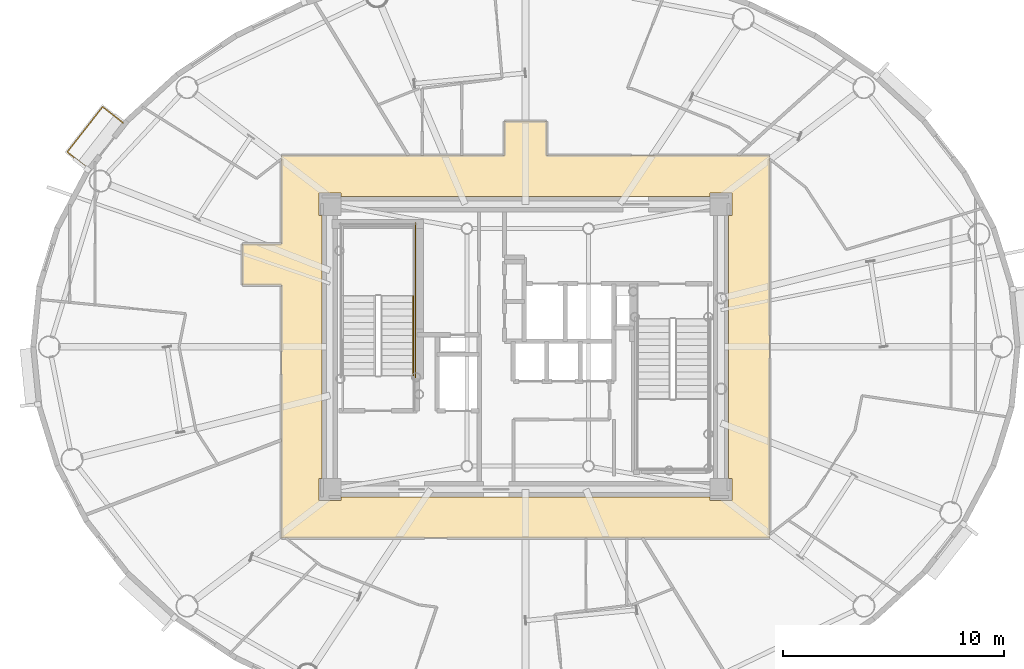
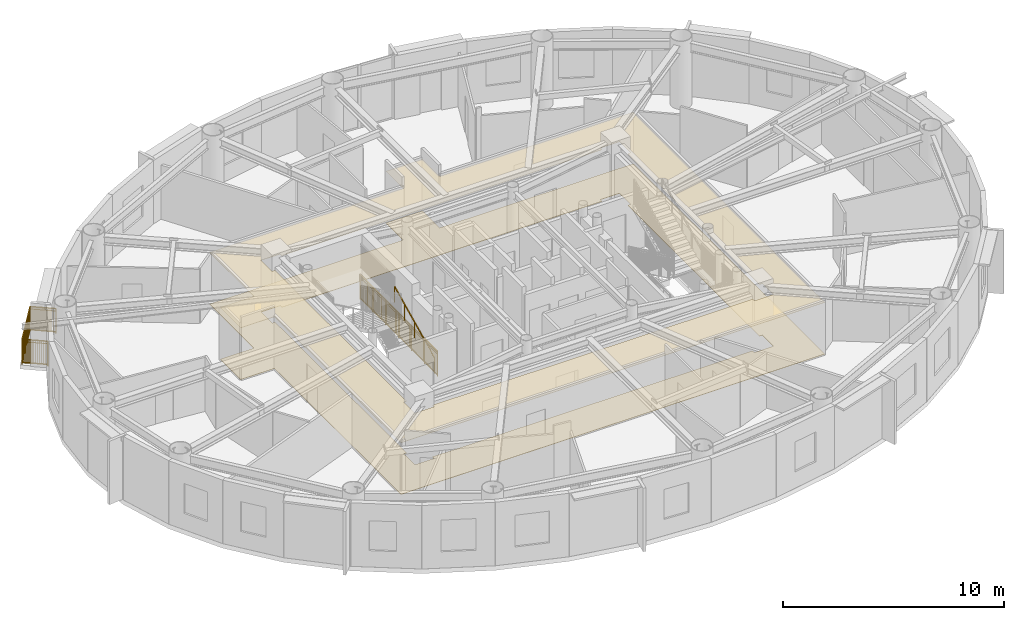
# One storey, part 16 of 18: 3 railings, 2 coverings.
"""IFC4 building model written with IfcOpenShell, lengths in metres."""

from ifc_helpers import new_model, si_unit, direction, frame, origin, origin_2d, place, context, subcontext, project, spatial, polyline, rectangle, outline, extrude, source, transform, mapped, material, layer, layer_set, type_object, element, save


model = new_model("IFC4")

# Units and contexts
model_context = context("Model", 3, precision=1e-05, world=origin(), true_north=direction((0.0, 1.0)))
body_context = subcontext(model_context, "Body", "Model", "MODEL_VIEW")
ifc_project = project(units=[si_unit("LENGTHUNIT", "METRE"), si_unit("AREAUNIT", "SQUARE_METRE"), si_unit("VOLUMEUNIT", "CUBIC_METRE"), si_unit("PLANEANGLEUNIT", "RADIAN"), si_unit("MASSUNIT", "GRAM", prefix="KILO")], contexts=[model_context])

# Site, building, storey
site_placement = place(None, origin())
site = spatial("IfcSite", under=ifc_project, at=site_placement, CompositionType="ELEMENT")
building_placement = place(site_placement, origin())
building = spatial("IfcBuilding", under=site, at=building_placement, Name="Linh Dai School and Residence Tower", CompositionType="ELEMENT")
storey_placement = place(building_placement, frame((0.0, 0.0, 291.75)))
storey = spatial("IfcBuildingStorey", under=building, at=storey_placement, Name="L72", CompositionType="ELEMENT", Elevation=291.75)

# Coverings
ifc_material_1 = material(Name="Mineral Fibre Acoustic Suspended Ceiling", Category="masonry")
ifc_layer_1 = layer(ifc_material_1, 0.02001953125)
ifc_layer_set_1 = layer_set([ifc_layer_1], Name="Mineral Fibre Acoustic Suspended Ceiling")
covering_type_1 = type_object("IfcCoveringType", Name="COV-CEIL-AC-20", PredefinedType="CEILING", material=ifc_layer_set_1)
covering_1_placement = place(storey_placement, frame((0.0, 0.0, 2.85009765625)))
element("IfcCovering", 1, at=covering_1_placement, inside=storey, type_object=covering_type_1, Name="L72 Residential Floor Corridor Suspended Ceiling", PredefinedType="CEILING", context=body_context, shape_type="SweptSolid", body=[
    extrude(outline(polyline([(23.199951171875, 31.64990234375), (24.949951171875, 31.64990234375), (24.949951171875, 35.64990234375), (35.050048828125, 35.64990234375), (35.050048828125, 37.199951171875), (36.949951171875, 37.199951171875), (36.949951171875, 35.64990234375), (47.050048828125, 35.64990234375), (47.050048828125, 18.35009765625), (24.949951171875, 18.35009765625), (24.949951171875, 29.800048828125), (23.199951171875, 29.800048828125), (23.199951171875, 31.64990234375)]), holes=[polyline([(27.64990234375, 33.800048828125), (27.64990234375, 33.949951171875), (26.64990234375, 33.949951171875), (26.64990234375, 32.949951171875), (26.800048828125, 32.949951171875), (26.800048828125, 21.050048828125), (26.64990234375, 21.050048828125), (26.64990234375, 20.050048828125), (27.64990234375, 20.050048828125), (27.64990234375, 20.199951171875), (44.35009765625, 20.199951171875), (44.35009765625, 20.050048828125), (45.35009765625, 20.050048828125), (45.35009765625, 21.050048828125), (45.199951171875, 21.050048828125), (45.199951171875, 32.949951171875), (45.35009765625, 32.949951171875), (45.35009765625, 33.949951171875), (44.35009765625, 33.949951171875), (44.35009765625, 33.800048828125), (27.64990234375, 33.800048828125)])]), origin(), (0.0, 0.0, 1.0), 0.02001953125),
])
ifc_material_2 = material(Name="Polished Terrazzo Floor Finish", Category="masonry")
ifc_layer_2 = layer(ifc_material_2, 0.02490234375)
ifc_layer_set_2 = layer_set([ifc_layer_2], Name="Polished Terrazzo Floor Finish")
covering_type_2 = type_object("IfcCoveringType", Name="COV-FLR-TRZ-25", PredefinedType="FLOORING", material=ifc_layer_set_2)
covering_2_placement = place(storey_placement, origin())
element("IfcCovering", 2, at=covering_2_placement, inside=storey, type_object=covering_type_2, Name="L72 Residential Floor Corridor Floor Finish", PredefinedType="FLOORING", context=body_context, shape_type="SweptSolid", body=[
    extrude(outline(polyline([(23.199951171875, 31.64990234375), (24.949951171875, 31.64990234375), (24.949951171875, 35.64990234375), (35.050048828125, 35.64990234375), (35.050048828125, 37.199951171875), (36.949951171875, 37.199951171875), (36.949951171875, 35.64990234375), (47.050048828125, 35.64990234375), (47.050048828125, 18.35009765625), (24.949951171875, 18.35009765625), (24.949951171875, 29.800048828125), (23.199951171875, 29.800048828125), (23.199951171875, 31.64990234375)]), holes=[polyline([(27.64990234375, 33.800048828125), (27.64990234375, 33.949951171875), (26.64990234375, 33.949951171875), (26.64990234375, 32.949951171875), (26.800048828125, 32.949951171875), (26.800048828125, 21.050048828125), (26.64990234375, 21.050048828125), (26.64990234375, 20.050048828125), (27.64990234375, 20.050048828125), (27.64990234375, 20.199951171875), (44.35009765625, 20.199951171875), (44.35009765625, 20.050048828125), (45.35009765625, 20.050048828125), (45.35009765625, 21.050048828125), (45.199951171875, 21.050048828125), (45.199951171875, 32.949951171875), (45.35009765625, 32.949951171875), (45.35009765625, 33.949951171875), (44.35009765625, 33.949951171875), (44.35009765625, 33.800048828125), (27.64990234375, 33.800048828125)])]), origin(), (0.0, 0.0, 1.0), 0.02001953125),
])

# Railings
ifc_material_3 = material(Name="Structural Steel S355JR", Category="steel")
railing_type_1 = type_object("IfcRailingType", Name="RL-BAL-1400", PredefinedType="BALUSTRADE", material=ifc_material_3)
shared_shape_1 = source(origin(), body_context, "Body", "SweptSolid", [
    extrude(rectangle(XDim=0.048095703125, YDim=0.048095703125, at=origin_2d()), frame((0.0, 0.0, 1.3759765625), z_axis=(-0.787465705171, 0.616358469707, 0.0), x_axis=(-0.616358469707, -0.787465705171, 0.0)), (0.0, 0.0, 1.0), 1.179931640625),
    extrude(rectangle(XDim=0.048095703125, YDim=0.048095703125, at=origin_2d()), frame((0.0, 0.0, 0.10009765625), z_axis=(-0.787465705171, 0.616358469707, 0.0), x_axis=(-0.616358469707, -0.787465705171, 0.0)), (0.0, 0.0, 1.0), 1.179931640625),
    extrude(rectangle(XDim=0.030029296875, YDim=0.030029296875, at=origin_2d()), frame((0.0, 0.0, 1.239990234375), z_axis=(-0.787465705171, 0.616358469707, 0.0), x_axis=(-0.616358469707, -0.787465705171, 0.0)), (0.0, 0.0, 1.0), 1.179931640625),
    extrude(rectangle(XDim=0.02001953125, YDim=0.02001953125, at=origin_2d()), frame((-0.071533203125, 0.055908203125, 0.10009765625)), (0.0, 0.0, 1.0), 1.251708984375),
    extrude(rectangle(XDim=0.02001953125, YDim=0.02001953125, at=origin_2d()), frame((-0.14306640625, 0.11181640625, 0.10009765625)), (0.0, 0.0, 1.0), 1.251708984375),
    extrude(rectangle(XDim=0.02001953125, YDim=0.02001953125, at=origin_2d()), frame((-0.21435546875, 0.167724609375, 0.10009765625)), (0.0, 0.0, 1.0), 1.251708984375),
    extrude(rectangle(XDim=0.02001953125, YDim=0.02001953125, at=origin_2d()), frame((-0.285888671875, 0.223876953125, 0.10009765625)), (0.0, 0.0, 1.0), 1.251708984375),
    extrude(rectangle(XDim=0.02001953125, YDim=0.02001953125, at=origin_2d()), frame((-0.357421875, 0.27978515625, 0.10009765625)), (0.0, 0.0, 1.0), 1.251708984375),
    extrude(rectangle(XDim=0.02001953125, YDim=0.02001953125, at=origin_2d()), frame((-0.428955078125, 0.335693359375, 0.10009765625)), (0.0, 0.0, 1.0), 1.251708984375),
    extrude(rectangle(XDim=0.02001953125, YDim=0.02001953125, at=origin_2d()), frame((-0.500244140625, 0.3916015625, 0.10009765625)), (0.0, 0.0, 1.0), 1.251708984375),
    extrude(rectangle(XDim=0.02001953125, YDim=0.02001953125, at=origin_2d()), frame((-0.57177734375, 0.447509765625, 0.10009765625)), (0.0, 0.0, 1.0), 1.251708984375),
    extrude(rectangle(XDim=0.02001953125, YDim=0.02001953125, at=origin_2d()), frame((-0.643310546875, 0.50341796875, 0.10009765625)), (0.0, 0.0, 1.0), 1.251708984375),
    extrude(rectangle(XDim=0.02001953125, YDim=0.02001953125, at=origin_2d()), frame((-0.71484375, 0.5595703125, 0.10009765625)), (0.0, 0.0, 1.0), 1.251708984375),
    extrude(rectangle(XDim=0.02001953125, YDim=0.02001953125, at=origin_2d()), frame((-0.7861328125, 0.615478515625, 0.10009765625)), (0.0, 0.0, 1.0), 1.251708984375),
    extrude(rectangle(XDim=0.02001953125, YDim=0.02001953125, at=origin_2d()), frame((-0.857666015625, 0.67138671875, 0.10009765625)), (0.0, 0.0, 1.0), 1.251708984375),
    extrude(rectangle(XDim=0.048095703125, YDim=0.048095703125, at=origin_2d()), frame((-0.92919921875, 0.727294921875, 1.3759765625), z_axis=(0.616318394655, 0.787497070731, 0.0), x_axis=(-0.787497070731, 0.616318394655, 0.0)), (0.0, 0.0, 1.0), 2.5986328125),
    extrude(rectangle(XDim=0.048095703125, YDim=0.048095703125, at=origin_2d()), frame((-0.92919921875, 0.727294921875, 0.10009765625), z_axis=(0.616318394655, 0.787497070731, 0.0), x_axis=(-0.787497070731, 0.616318394655, 0.0)), (0.0, 0.0, 1.0), 2.5986328125),
    extrude(rectangle(XDim=0.030029296875, YDim=0.030029296875, at=origin_2d()), frame((-0.92919921875, 0.727294921875, 1.239990234375), z_axis=(0.616318394655, 0.787497070731, 0.0), x_axis=(-0.787497070731, 0.616318394655, 0.0)), (0.0, 0.0, 1.0), 2.5986328125),
    extrude(rectangle(XDim=0.02001953125, YDim=0.02001953125, at=origin_2d()), frame((-0.869873046875, 0.802978515625, 0.10009765625)), (0.0, 0.0, 1.0), 1.251708984375),
    extrude(rectangle(XDim=0.02001953125, YDim=0.02001953125, at=origin_2d()), frame((-0.810546875, 0.87890625, 0.10009765625)), (0.0, 0.0, 1.0), 1.251708984375),
    extrude(rectangle(XDim=0.02001953125, YDim=0.02001953125, at=origin_2d()), frame((-0.751220703125, 0.95458984375, 0.10009765625)), (0.0, 0.0, 1.0), 1.251708984375),
    extrude(rectangle(XDim=0.02001953125, YDim=0.02001953125, at=origin_2d()), frame((-0.69189453125, 1.030517578125, 0.10009765625)), (0.0, 0.0, 1.0), 1.251708984375),
    extrude(rectangle(XDim=0.02001953125, YDim=0.02001953125, at=origin_2d()), frame((-0.632568359375, 1.106201171875, 0.10009765625)), (0.0, 0.0, 1.0), 1.251708984375),
    extrude(rectangle(XDim=0.02001953125, YDim=0.02001953125, at=origin_2d()), frame((-0.5732421875, 1.18212890625, 0.10009765625)), (0.0, 0.0, 1.0), 1.251708984375),
    extrude(rectangle(XDim=0.02001953125, YDim=0.02001953125, at=origin_2d()), frame((-0.513916015625, 1.2578125, 0.10009765625)), (0.0, 0.0, 1.0), 1.251708984375),
    extrude(rectangle(XDim=0.02001953125, YDim=0.02001953125, at=origin_2d()), frame((-0.45458984375, 1.333740234375, 0.10009765625)), (0.0, 0.0, 1.0), 1.251708984375),
    extrude(rectangle(XDim=0.02001953125, YDim=0.02001953125, at=origin_2d()), frame((-0.3359375, 1.485107421875, 0.10009765625)), (0.0, 0.0, 1.0), 1.251708984375),
    extrude(rectangle(XDim=0.02001953125, YDim=0.02001953125, at=origin_2d()), frame((-0.276611328125, 1.56103515625, 0.10009765625)), (0.0, 0.0, 1.0), 1.251708984375),
    extrude(rectangle(XDim=0.02001953125, YDim=0.02001953125, at=origin_2d()), frame((-0.21728515625, 1.63671875, 0.10009765625)), (0.0, 0.0, 1.0), 1.251708984375),
    extrude(rectangle(XDim=0.02001953125, YDim=0.02001953125, at=origin_2d()), frame((-0.157958984375, 1.712646484375, 0.10009765625)), (0.0, 0.0, 1.0), 1.251708984375),
    extrude(rectangle(XDim=0.02001953125, YDim=0.02001953125, at=origin_2d()), frame((-0.098876953125, 1.788330078125, 0.10009765625)), (0.0, 0.0, 1.0), 1.251708984375),
    extrude(rectangle(XDim=0.02001953125, YDim=0.02001953125, at=origin_2d()), frame((-0.03955078125, 1.8642578125, 0.10009765625)), (0.0, 0.0, 1.0), 1.251708984375),
    extrude(rectangle(XDim=0.02001953125, YDim=0.02001953125, at=origin_2d()), frame((0.019775390625, 1.93994140625, 0.10009765625)), (0.0, 0.0, 1.0), 1.251708984375),
    extrude(rectangle(XDim=0.02001953125, YDim=0.02001953125, at=origin_2d()), frame((0.0791015625, 2.015869140625, 0.10009765625)), (0.0, 0.0, 1.0), 1.251708984375),
    extrude(rectangle(XDim=0.02001953125, YDim=0.02001953125, at=origin_2d()), frame((0.19775390625, 2.167236328125, 0.10009765625)), (0.0, 0.0, 1.0), 1.251708984375),
    extrude(rectangle(XDim=0.02001953125, YDim=0.02001953125, at=origin_2d()), frame((0.257080078125, 2.2431640625, 0.10009765625)), (0.0, 0.0, 1.0), 1.251708984375),
    extrude(rectangle(XDim=0.02001953125, YDim=0.02001953125, at=origin_2d()), frame((0.31640625, 2.31884765625, 0.10009765625)), (0.0, 0.0, 1.0), 1.251708984375),
    extrude(rectangle(XDim=0.02001953125, YDim=0.02001953125, at=origin_2d()), frame((0.375732421875, 2.394775390625, 0.10009765625)), (0.0, 0.0, 1.0), 1.251708984375),
    extrude(rectangle(XDim=0.02001953125, YDim=0.02001953125, at=origin_2d()), frame((0.43505859375, 2.470458984375, 0.10009765625)), (0.0, 0.0, 1.0), 1.251708984375),
    extrude(rectangle(XDim=0.02001953125, YDim=0.02001953125, at=origin_2d()), frame((0.494384765625, 2.54638671875, 0.10009765625)), (0.0, 0.0, 1.0), 1.251708984375),
    extrude(rectangle(XDim=0.02001953125, YDim=0.02001953125, at=origin_2d()), frame((0.5537109375, 2.6220703125, 0.10009765625)), (0.0, 0.0, 1.0), 1.251708984375),
    extrude(rectangle(XDim=0.02001953125, YDim=0.02001953125, at=origin_2d()), frame((0.613037109375, 2.697998046875, 0.10009765625)), (0.0, 0.0, 1.0), 1.251708984375),
    extrude(rectangle(XDim=0.048095703125, YDim=0.048095703125, at=origin_2d()), frame((0.67236328125, 2.773681640625, 1.3759765625), z_axis=(0.787465705171, -0.616358469707, 0.0), x_axis=(0.616358469707, 0.787465705171, 0.0)), (0.0, 0.0, 1.0), 1.179931640625),
    extrude(rectangle(XDim=0.048095703125, YDim=0.048095703125, at=origin_2d()), frame((0.67236328125, 2.773681640625, 0.10009765625), z_axis=(0.787465705171, -0.616358469707, 0.0), x_axis=(0.616358469707, 0.787465705171, 0.0)), (0.0, 0.0, 1.0), 1.179931640625),
    extrude(rectangle(XDim=0.030029296875, YDim=0.030029296875, at=origin_2d()), frame((0.67236328125, 2.773681640625, 1.239990234375), z_axis=(0.787465705171, -0.616358469707, 0.0), x_axis=(0.616358469707, 0.787465705171, 0.0)), (0.0, 0.0, 1.0), 1.179931640625),
    extrude(rectangle(XDim=0.02001953125, YDim=0.02001953125, at=origin_2d()), frame((0.743896484375, 2.7177734375, 0.10009765625)), (0.0, 0.0, 1.0), 1.251708984375),
    extrude(rectangle(XDim=0.02001953125, YDim=0.02001953125, at=origin_2d()), frame((0.8154296875, 2.661865234375, 0.10009765625)), (0.0, 0.0, 1.0), 1.251708984375),
    extrude(rectangle(XDim=0.02001953125, YDim=0.02001953125, at=origin_2d()), frame((0.88671875, 2.60595703125, 0.10009765625)), (0.0, 0.0, 1.0), 1.251708984375),
    extrude(rectangle(XDim=0.02001953125, YDim=0.02001953125, at=origin_2d()), frame((0.958251953125, 2.5498046875, 0.10009765625)), (0.0, 0.0, 1.0), 1.251708984375),
    extrude(rectangle(XDim=0.02001953125, YDim=0.02001953125, at=origin_2d()), frame((1.02978515625, 2.493896484375, 0.10009765625)), (0.0, 0.0, 1.0), 1.251708984375),
    extrude(rectangle(XDim=0.02001953125, YDim=0.02001953125, at=origin_2d()), frame((1.101318359375, 2.43798828125, 0.10009765625)), (0.0, 0.0, 1.0), 1.251708984375),
    extrude(rectangle(XDim=0.02001953125, YDim=0.02001953125, at=origin_2d()), frame((1.172607421875, 2.382080078125, 0.10009765625)), (0.0, 0.0, 1.0), 1.251708984375),
    extrude(rectangle(XDim=0.02001953125, YDim=0.02001953125, at=origin_2d()), frame((1.244140625, 2.326171875, 0.10009765625)), (0.0, 0.0, 1.0), 1.251708984375),
    extrude(rectangle(XDim=0.02001953125, YDim=0.02001953125, at=origin_2d()), frame((1.315673828125, 2.270263671875, 0.10009765625)), (0.0, 0.0, 1.0), 1.251708984375),
    extrude(rectangle(XDim=0.02001953125, YDim=0.02001953125, at=origin_2d()), frame((1.38720703125, 2.214111328125, 0.10009765625)), (0.0, 0.0, 1.0), 1.251708984375),
    extrude(rectangle(XDim=0.02001953125, YDim=0.02001953125, at=origin_2d()), frame((1.45849609375, 2.158203125, 0.10009765625)), (0.0, 0.0, 1.0), 1.251708984375),
    extrude(rectangle(XDim=0.02001953125, YDim=0.02001953125, at=origin_2d()), frame((1.530029296875, 2.102294921875, 0.10009765625)), (0.0, 0.0, 1.0), 1.251708984375),
    extrude(rectangle(XDim=0.0419921875, YDim=0.0419921875, at=origin_2d()), origin(), (0.0, 0.0, 1.0), 1.3759765625),
    extrude(rectangle(XDim=0.0419921875, YDim=0.0419921875, at=origin_2d()), frame((-0.92919921875, 0.727294921875, 0.0)), (0.0, 0.0, 1.0), 1.3759765625),
    extrude(rectangle(XDim=0.0419921875, YDim=0.0419921875, at=origin_2d()), frame((-0.395263671875, 1.409423828125, 0.0)), (0.0, 0.0, 1.0), 1.3759765625),
    extrude(rectangle(XDim=0.0419921875, YDim=0.0419921875, at=origin_2d()), frame((0.138427734375, 2.091552734375, 0.0)), (0.0, 0.0, 1.0), 1.3759765625),
    extrude(rectangle(XDim=0.0419921875, YDim=0.0419921875, at=origin_2d()), frame((0.67236328125, 2.773681640625, 0.0)), (0.0, 0.0, 1.0), 1.3759765625),
    extrude(rectangle(XDim=0.0419921875, YDim=0.0419921875, at=origin_2d()), frame((1.6015625, 2.04638671875, 0.0)), (0.0, 0.0, 1.0), 1.3759765625),
])
railing_1_placement = place(storey_placement, frame((16.190185546875, 35.0888671875, 0.0)))
element("IfcRailing", 3, at=railing_1_placement, inside=storey, type_object=railing_type_1, Name="L72 Balcony Safety Balustrade 17", PredefinedType="BALUSTRADE", context=body_context, shape_type="MappedRepresentation", body=[
    mapped(shared_shape_1, transform((0.0, 0.0, 0.0), x_axis=(1.0, 0.0, 0.0), y_axis=(0.0, 1.0, 0.0), z_axis=(0.0, 0.0, 1.0), scale=1.0)),
])
railing_type_2 = type_object("IfcRailingType", Name="RL-ST-GUARD-1400", PredefinedType="GUARDRAIL", material=ifc_material_3)
shared_shape_2 = source(origin(), body_context, "Body", "SweptSolid", [
    extrude(rectangle(XDim=0.048095703125, YDim=0.048095703125, at=origin_2d()), frame((0.0, 0.0, 1.3759765625), z_axis=(0.0, 1.0, 0.0), x_axis=(-1.0, 0.0, 0.0)), (0.0, 0.0, 1.0), 7.0),
    extrude(rectangle(XDim=0.048095703125, YDim=0.048095703125, at=origin_2d()), frame((0.0, 0.0, 0.10009765625), z_axis=(0.0, 1.0, 0.0), x_axis=(-1.0, 0.0, 0.0)), (0.0, 0.0, 1.0), 7.0),
    extrude(rectangle(XDim=0.030029296875, YDim=0.030029296875, at=origin_2d()), frame((0.0, 0.0, 1.239990234375), z_axis=(0.0, 1.0, 0.0), x_axis=(-1.0, 0.0, 0.0)), (0.0, 0.0, 1.0), 7.0),
    extrude(rectangle(XDim=0.02001953125, YDim=0.02001953125, at=origin_2d()), frame((0.0, 0.09716796875, 0.10009765625)), (0.0, 0.0, 1.0), 1.251708984375),
    extrude(rectangle(XDim=0.02001953125, YDim=0.02001953125, at=origin_2d()), frame((0.0, 0.1943359375, 0.10009765625)), (0.0, 0.0, 1.0), 1.251708984375),
    extrude(rectangle(XDim=0.02001953125, YDim=0.02001953125, at=origin_2d()), frame((0.0, 0.291748046875, 0.10009765625)), (0.0, 0.0, 1.0), 1.251708984375),
    extrude(rectangle(XDim=0.02001953125, YDim=0.02001953125, at=origin_2d()), frame((0.0, 0.388916015625, 0.10009765625)), (0.0, 0.0, 1.0), 1.251708984375),
    extrude(rectangle(XDim=0.02001953125, YDim=0.02001953125, at=origin_2d()), frame((0.0, 0.486083984375, 0.10009765625)), (0.0, 0.0, 1.0), 1.251708984375),
    extrude(rectangle(XDim=0.02001953125, YDim=0.02001953125, at=origin_2d()), frame((0.0, 0.583251953125, 0.10009765625)), (0.0, 0.0, 1.0), 1.251708984375),
    extrude(rectangle(XDim=0.02001953125, YDim=0.02001953125, at=origin_2d()), frame((0.0, 0.6806640625, 0.10009765625)), (0.0, 0.0, 1.0), 1.251708984375),
    extrude(rectangle(XDim=0.02001953125, YDim=0.02001953125, at=origin_2d()), frame((0.0, 0.77783203125, 0.10009765625)), (0.0, 0.0, 1.0), 1.251708984375),
    extrude(rectangle(XDim=0.02001953125, YDim=0.02001953125, at=origin_2d()), frame((0.0, 0.875, 0.10009765625)), (0.0, 0.0, 1.0), 1.251708984375),
    extrude(rectangle(XDim=0.02001953125, YDim=0.02001953125, at=origin_2d()), frame((0.0, 0.97216796875, 0.10009765625)), (0.0, 0.0, 1.0), 1.251708984375),
    extrude(rectangle(XDim=0.02001953125, YDim=0.02001953125, at=origin_2d()), frame((0.0, 1.0693359375, 0.10009765625)), (0.0, 0.0, 1.0), 1.251708984375),
    extrude(rectangle(XDim=0.02001953125, YDim=0.02001953125, at=origin_2d()), frame((0.0, 1.263916015625, 0.10009765625)), (0.0, 0.0, 1.0), 1.251708984375),
    extrude(rectangle(XDim=0.02001953125, YDim=0.02001953125, at=origin_2d()), frame((0.0, 1.361083984375, 0.10009765625)), (0.0, 0.0, 1.0), 1.251708984375),
    extrude(rectangle(XDim=0.02001953125, YDim=0.02001953125, at=origin_2d()), frame((0.0, 1.458251953125, 0.10009765625)), (0.0, 0.0, 1.0), 1.251708984375),
    extrude(rectangle(XDim=0.02001953125, YDim=0.02001953125, at=origin_2d()), frame((0.0, 1.5556640625, 0.10009765625)), (0.0, 0.0, 1.0), 1.251708984375),
    extrude(rectangle(XDim=0.02001953125, YDim=0.02001953125, at=origin_2d()), frame((0.0, 1.65283203125, 0.10009765625)), (0.0, 0.0, 1.0), 1.251708984375),
    extrude(rectangle(XDim=0.02001953125, YDim=0.02001953125, at=origin_2d()), frame((0.0, 1.75, 0.10009765625)), (0.0, 0.0, 1.0), 1.251708984375),
    extrude(rectangle(XDim=0.02001953125, YDim=0.02001953125, at=origin_2d()), frame((0.0, 1.84716796875, 0.10009765625)), (0.0, 0.0, 1.0), 1.251708984375),
    extrude(rectangle(XDim=0.02001953125, YDim=0.02001953125, at=origin_2d()), frame((0.0, 1.9443359375, 0.10009765625)), (0.0, 0.0, 1.0), 1.251708984375),
    extrude(rectangle(XDim=0.02001953125, YDim=0.02001953125, at=origin_2d()), frame((0.0, 2.041748046875, 0.10009765625)), (0.0, 0.0, 1.0), 1.251708984375),
    extrude(rectangle(XDim=0.02001953125, YDim=0.02001953125, at=origin_2d()), frame((0.0, 2.138916015625, 0.10009765625)), (0.0, 0.0, 1.0), 1.251708984375),
    extrude(rectangle(XDim=0.02001953125, YDim=0.02001953125, at=origin_2d()), frame((0.0, 2.236083984375, 0.10009765625)), (0.0, 0.0, 1.0), 1.251708984375),
    extrude(rectangle(XDim=0.02001953125, YDim=0.02001953125, at=origin_2d()), frame((0.0, 2.4306640625, 0.10009765625)), (0.0, 0.0, 1.0), 1.251708984375),
    extrude(rectangle(XDim=0.02001953125, YDim=0.02001953125, at=origin_2d()), frame((0.0, 2.52783203125, 0.10009765625)), (0.0, 0.0, 1.0), 1.251708984375),
    extrude(rectangle(XDim=0.02001953125, YDim=0.02001953125, at=origin_2d()), frame((0.0, 2.625, 0.10009765625)), (0.0, 0.0, 1.0), 1.251708984375),
    extrude(rectangle(XDim=0.02001953125, YDim=0.02001953125, at=origin_2d()), frame((0.0, 2.72216796875, 0.10009765625)), (0.0, 0.0, 1.0), 1.251708984375),
    extrude(rectangle(XDim=0.02001953125, YDim=0.02001953125, at=origin_2d()), frame((0.0, 2.8193359375, 0.10009765625)), (0.0, 0.0, 1.0), 1.251708984375),
    extrude(rectangle(XDim=0.02001953125, YDim=0.02001953125, at=origin_2d()), frame((0.0, 2.916748046875, 0.10009765625)), (0.0, 0.0, 1.0), 1.251708984375),
    extrude(rectangle(XDim=0.02001953125, YDim=0.02001953125, at=origin_2d()), frame((0.0, 3.013916015625, 0.10009765625)), (0.0, 0.0, 1.0), 1.251708984375),
    extrude(rectangle(XDim=0.02001953125, YDim=0.02001953125, at=origin_2d()), frame((0.0, 3.111083984375, 0.10009765625)), (0.0, 0.0, 1.0), 1.251708984375),
    extrude(rectangle(XDim=0.02001953125, YDim=0.02001953125, at=origin_2d()), frame((0.0, 3.208251953125, 0.10009765625)), (0.0, 0.0, 1.0), 1.251708984375),
    extrude(rectangle(XDim=0.02001953125, YDim=0.02001953125, at=origin_2d()), frame((0.0, 3.3056640625, 0.10009765625)), (0.0, 0.0, 1.0), 1.251708984375),
    extrude(rectangle(XDim=0.02001953125, YDim=0.02001953125, at=origin_2d()), frame((0.0, 3.40283203125, 0.10009765625)), (0.0, 0.0, 1.0), 1.251708984375),
    extrude(rectangle(XDim=0.02001953125, YDim=0.02001953125, at=origin_2d()), frame((0.0, 3.59716796875, 0.10009765625)), (0.0, 0.0, 1.0), 1.251708984375),
    extrude(rectangle(XDim=0.02001953125, YDim=0.02001953125, at=origin_2d()), frame((0.0, 3.6943359375, 0.10009765625)), (0.0, 0.0, 1.0), 1.251708984375),
    extrude(rectangle(XDim=0.02001953125, YDim=0.02001953125, at=origin_2d()), frame((0.0, 3.791748046875, 0.10009765625)), (0.0, 0.0, 1.0), 1.251708984375),
    extrude(rectangle(XDim=0.02001953125, YDim=0.02001953125, at=origin_2d()), frame((0.0, 3.888916015625, 0.10009765625)), (0.0, 0.0, 1.0), 1.251708984375),
    extrude(rectangle(XDim=0.02001953125, YDim=0.02001953125, at=origin_2d()), frame((0.0, 3.986083984375, 0.10009765625)), (0.0, 0.0, 1.0), 1.251708984375),
    extrude(rectangle(XDim=0.02001953125, YDim=0.02001953125, at=origin_2d()), frame((0.0, 4.083251953125, 0.10009765625)), (0.0, 0.0, 1.0), 1.251708984375),
    extrude(rectangle(XDim=0.02001953125, YDim=0.02001953125, at=origin_2d()), frame((0.0, 4.1806640625, 0.10009765625)), (0.0, 0.0, 1.0), 1.251708984375),
    extrude(rectangle(XDim=0.02001953125, YDim=0.02001953125, at=origin_2d()), frame((0.0, 4.27783203125, 0.10009765625)), (0.0, 0.0, 1.0), 1.251708984375),
    extrude(rectangle(XDim=0.02001953125, YDim=0.02001953125, at=origin_2d()), frame((0.0, 4.375, 0.10009765625)), (0.0, 0.0, 1.0), 1.251708984375),
    extrude(rectangle(XDim=0.02001953125, YDim=0.02001953125, at=origin_2d()), frame((0.0, 4.47216796875, 0.10009765625)), (0.0, 0.0, 1.0), 1.251708984375),
    extrude(rectangle(XDim=0.02001953125, YDim=0.02001953125, at=origin_2d()), frame((0.0, 4.5693359375, 0.10009765625)), (0.0, 0.0, 1.0), 1.251708984375),
    extrude(rectangle(XDim=0.02001953125, YDim=0.02001953125, at=origin_2d()), frame((0.0, 4.763916015625, 0.10009765625)), (0.0, 0.0, 1.0), 1.251708984375),
    extrude(rectangle(XDim=0.02001953125, YDim=0.02001953125, at=origin_2d()), frame((0.0, 4.861083984375, 0.10009765625)), (0.0, 0.0, 1.0), 1.251708984375),
    extrude(rectangle(XDim=0.02001953125, YDim=0.02001953125, at=origin_2d()), frame((0.0, 4.958251953125, 0.10009765625)), (0.0, 0.0, 1.0), 1.251708984375),
    extrude(rectangle(XDim=0.02001953125, YDim=0.02001953125, at=origin_2d()), frame((0.0, 5.0556640625, 0.10009765625)), (0.0, 0.0, 1.0), 1.251708984375),
    extrude(rectangle(XDim=0.02001953125, YDim=0.02001953125, at=origin_2d()), frame((0.0, 5.15283203125, 0.10009765625)), (0.0, 0.0, 1.0), 1.251708984375),
    extrude(rectangle(XDim=0.02001953125, YDim=0.02001953125, at=origin_2d()), frame((0.0, 5.25, 0.10009765625)), (0.0, 0.0, 1.0), 1.251708984375),
    extrude(rectangle(XDim=0.02001953125, YDim=0.02001953125, at=origin_2d()), frame((0.0, 5.34716796875, 0.10009765625)), (0.0, 0.0, 1.0), 1.251708984375),
    extrude(rectangle(XDim=0.02001953125, YDim=0.02001953125, at=origin_2d()), frame((0.0, 5.4443359375, 0.10009765625)), (0.0, 0.0, 1.0), 1.251708984375),
    extrude(rectangle(XDim=0.02001953125, YDim=0.02001953125, at=origin_2d()), frame((0.0, 5.541748046875, 0.10009765625)), (0.0, 0.0, 1.0), 1.251708984375),
    extrude(rectangle(XDim=0.02001953125, YDim=0.02001953125, at=origin_2d()), frame((0.0, 5.638916015625, 0.10009765625)), (0.0, 0.0, 1.0), 1.251708984375),
    extrude(rectangle(XDim=0.02001953125, YDim=0.02001953125, at=origin_2d()), frame((0.0, 5.736083984375, 0.10009765625)), (0.0, 0.0, 1.0), 1.251708984375),
    extrude(rectangle(XDim=0.02001953125, YDim=0.02001953125, at=origin_2d()), frame((0.0, 5.9306640625, 0.10009765625)), (0.0, 0.0, 1.0), 1.251708984375),
    extrude(rectangle(XDim=0.02001953125, YDim=0.02001953125, at=origin_2d()), frame((0.0, 6.02783203125, 0.10009765625)), (0.0, 0.0, 1.0), 1.251708984375),
    extrude(rectangle(XDim=0.02001953125, YDim=0.02001953125, at=origin_2d()), frame((0.0, 6.125, 0.10009765625)), (0.0, 0.0, 1.0), 1.251708984375),
    extrude(rectangle(XDim=0.02001953125, YDim=0.02001953125, at=origin_2d()), frame((0.0, 6.22216796875, 0.10009765625)), (0.0, 0.0, 1.0), 1.251708984375),
    extrude(rectangle(XDim=0.02001953125, YDim=0.02001953125, at=origin_2d()), frame((0.0, 6.3193359375, 0.10009765625)), (0.0, 0.0, 1.0), 1.251708984375),
    extrude(rectangle(XDim=0.02001953125, YDim=0.02001953125, at=origin_2d()), frame((0.0, 6.416748046875, 0.10009765625)), (0.0, 0.0, 1.0), 1.251708984375),
    extrude(rectangle(XDim=0.02001953125, YDim=0.02001953125, at=origin_2d()), frame((0.0, 6.513916015625, 0.10009765625)), (0.0, 0.0, 1.0), 1.251708984375),
    extrude(rectangle(XDim=0.02001953125, YDim=0.02001953125, at=origin_2d()), frame((0.0, 6.611083984375, 0.10009765625)), (0.0, 0.0, 1.0), 1.251708984375),
    extrude(rectangle(XDim=0.02001953125, YDim=0.02001953125, at=origin_2d()), frame((0.0, 6.708251953125, 0.10009765625)), (0.0, 0.0, 1.0), 1.251708984375),
    extrude(rectangle(XDim=0.02001953125, YDim=0.02001953125, at=origin_2d()), frame((0.0, 6.8056640625, 0.10009765625)), (0.0, 0.0, 1.0), 1.251708984375),
    extrude(rectangle(XDim=0.02001953125, YDim=0.02001953125, at=origin_2d()), frame((0.0, 6.90283203125, 0.10009765625)), (0.0, 0.0, 1.0), 1.251708984375),
    extrude(rectangle(XDim=0.0419921875, YDim=0.0419921875, at=origin_2d()), origin(), (0.0, 0.0, 1.0), 1.3759765625),
    extrude(rectangle(XDim=0.0419921875, YDim=0.0419921875, at=origin_2d()), frame((0.0, 1.166748046875, 0.0)), (0.0, 0.0, 1.0), 1.3759765625),
    extrude(rectangle(XDim=0.0419921875, YDim=0.0419921875, at=origin_2d()), frame((0.0, 2.333251953125, 0.0)), (0.0, 0.0, 1.0), 1.3759765625),
    extrude(rectangle(XDim=0.0419921875, YDim=0.0419921875, at=origin_2d()), frame((0.0, 3.5, 0.0)), (0.0, 0.0, 1.0), 1.3759765625),
    extrude(rectangle(XDim=0.0419921875, YDim=0.0419921875, at=origin_2d()), frame((0.0, 4.666748046875, 0.0)), (0.0, 0.0, 1.0), 1.3759765625),
    extrude(rectangle(XDim=0.0419921875, YDim=0.0419921875, at=origin_2d()), frame((0.0, 5.833251953125, 0.0)), (0.0, 0.0, 1.0), 1.3759765625),
    extrude(rectangle(XDim=0.0419921875, YDim=0.0419921875, at=origin_2d()), frame((0.0, 7.0, 0.0)), (0.0, 0.0, 1.0), 1.3759765625),
])
railing_2_placement = place(storey_placement, frame((31.030029296875, 25.60009765625, 0.0)))
element("IfcRailing", 4, at=railing_2_placement, inside=storey, type_object=railing_type_2, Name="L72 ST1 stair guard 10", PredefinedType="GUARDRAIL", context=body_context, shape_type="MappedRepresentation", body=[
    mapped(shared_shape_2, transform((0.0, 0.0, 0.0), x_axis=(1.0, 0.0, 0.0), y_axis=(0.0, 1.0, 0.0), z_axis=(0.0, 0.0, 1.0), scale=1.0)),
])
ifc_material_4 = material(Name="Brushed Stainless Steel Handrail", Category="steel")
railing_type_3 = type_object("IfcRailingType", Name="RL-ST-HANDRAIL-900", PredefinedType="HANDRAIL", material=ifc_material_4)
shared_shape_3 = source(origin(), body_context, "Body", "SweptSolid", [
    extrude(rectangle(XDim=0.048095703125, YDim=0.048095703125, at=origin_2d()), frame((0.0, 0.0, 0.8759765625), z_axis=(0.0, 0.901262522062, 0.433273431364), x_axis=(-1.0, 0.0, 0.0)), (0.0, 0.0, 1.0), 3.994384765625),
    extrude(rectangle(XDim=0.0419921875, YDim=0.0419921875, at=origin_2d()), origin(), (0.0, 0.0, 1.0), 0.8759765625),
    extrude(rectangle(XDim=0.0419921875, YDim=0.0419921875, at=origin_2d()), frame((0.0, 0.89990234375, 0.4326171875)), (0.0, 0.0, 1.0), 0.8759765625),
    extrude(rectangle(XDim=0.0419921875, YDim=0.0419921875, at=origin_2d()), frame((0.0, 1.800048828125, 0.865234375)), (0.0, 0.0, 1.0), 0.8759765625),
    extrude(rectangle(XDim=0.0419921875, YDim=0.0419921875, at=origin_2d()), frame((0.0, 2.7001953125, 1.298095703125)), (0.0, 0.0, 1.0), 0.8759765625),
    extrude(rectangle(XDim=0.0419921875, YDim=0.0419921875, at=origin_2d()), frame((0.0, 3.60009765625, 1.730712890625)), (0.0, 0.0, 1.0), 0.8759765625),
])
railing_3_placement = place(storey_placement, frame((30.929931640625, 25.699951171875, 0.144287109375)))
element("IfcRailing", 5, at=railing_3_placement, inside=storey, type_object=railing_type_3, Name="L72 ST1 stair handrail 1", PredefinedType="HANDRAIL", context=body_context, shape_type="MappedRepresentation", body=[
    mapped(shared_shape_3, transform((0.0, 0.0, 0.0), x_axis=(1.0, 0.0, 0.0), y_axis=(0.0, 1.0, 0.0), z_axis=(0.0, 0.0, 1.0), scale=1.0)),
])

save(model, "model.ifc")
